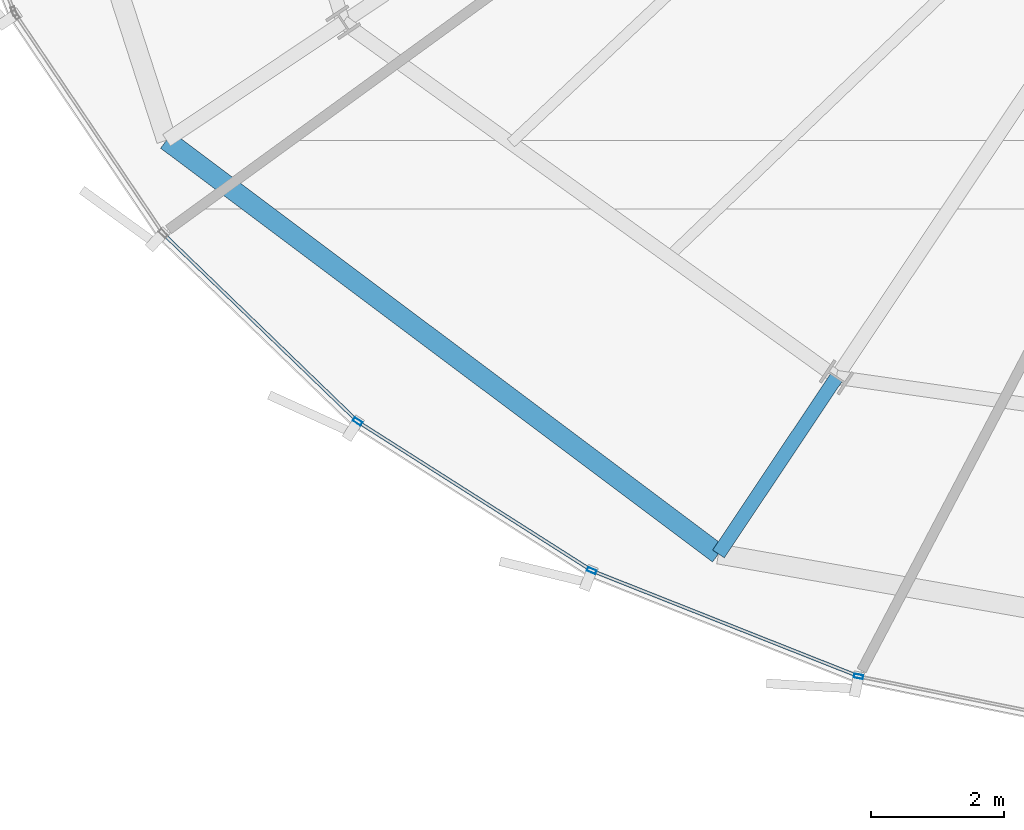
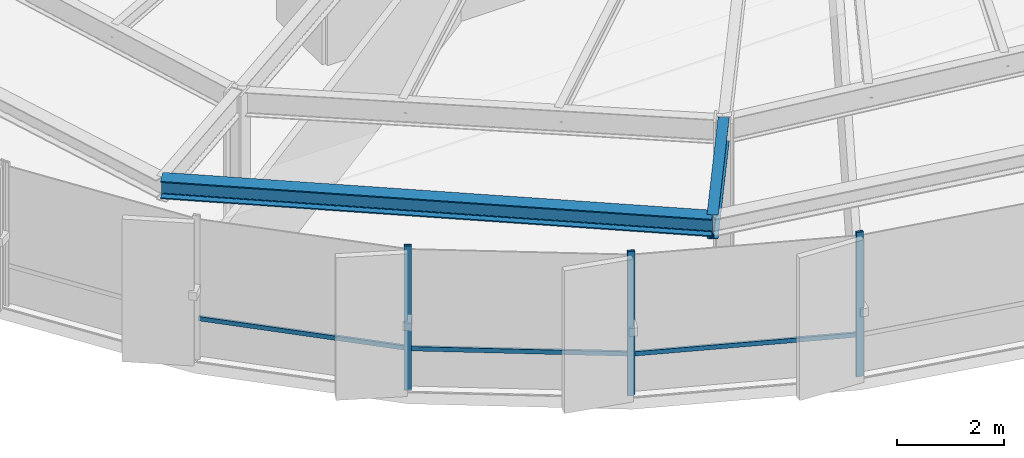
# One storey, part 2 of 35: 6 members, 2 beams, 1 element without a shape of its own.
"""IFC4 building model written with IfcOpenShell, lengths in metres."""

from ifc_helpers import new_model, si_unit, direction, frame, origin, origin_2d, place, context, subcontext, project, spatial, hollow_rectangle, i_section, extrude, source, transform, mapped, material, layer, layer_set, material_profile, profile_set, type_object, element, aggregate, save


model = new_model("IFC4")

# Units and contexts
model_context = context("Model", 3, precision=1e-05, world=origin(), true_north=direction((0.0, 1.0)))
body_context = subcontext(model_context, "Body", "Model", "MODEL_VIEW")
ifc_project = project(units=[si_unit("LENGTHUNIT", "METRE"), si_unit("AREAUNIT", "SQUARE_METRE"), si_unit("VOLUMEUNIT", "CUBIC_METRE"), si_unit("PLANEANGLEUNIT", "RADIAN"), si_unit("MASSUNIT", "GRAM", prefix="KILO"), si_unit("THERMODYNAMICTEMPERATUREUNIT", "KELVIN")], contexts=[model_context])

# Site, building, storey
site_placement = place(None, origin())
site = spatial("IfcSite", under=ifc_project, at=site_placement, CompositionType="ELEMENT")
building_placement = place(site_placement, origin())
building = spatial("IfcBuilding", under=site, at=building_placement, Name="Kethvar Cultural Tower", CompositionType="ELEMENT")
storey_placement = place(building_placement, frame((0.0, 0.0, 146.550048828125)))
storey = spatial("IfcBuildingStorey", under=building, at=storey_placement, Name="L37", CompositionType="ELEMENT", Elevation=146.550048828125)

# Beams
ifc_material_1 = material(Name="Steel S355J2", Category="steel")
ifc_material_profile_1 = material_profile(ifc_material_1, i_section(OverallWidth=0.2099609375, OverallDepth=0.550048828125, WebThickness=0.010986328125, FlangeThickness=0.01708984375, FilletRadius=0.02392578125, at=origin_2d()), Name="Steel S355J2 — IPE550")
ifc_profile_set_1 = profile_set([ifc_material_profile_1], Name="Steel S355J2 — IPE550")
beam_type_1 = type_object("IfcBeamType", Name="BM-IPE550", PredefinedType="BEAM", material=ifc_profile_set_1)
shared_shape_1 = source(origin(), body_context, "Body", "SweptSolid", [
    extrude(i_section(OverallWidth=0.2099609375, OverallDepth=0.550048828125, WebThickness=0.010986328125, FlangeThickness=0.01708984375, FilletRadius=0.02392578125, at=origin_2d()), origin(), (0.0, 0.0, 1.0), 3.199951171875),
])
beam_1_placement = place(storey_placement, frame((34.350830078125, 9.16845703125, 3.02294921875), z_axis=(-0.555580212716, -0.831462943996, 0.0), x_axis=(0.831462943996, -0.555580212716, 0.0)))
element("IfcBeam", 1, at=beam_1_placement, inside=storey, type_object=beam_type_1, Name="L37 Perimeter Cantilever Beam RC-11", PredefinedType="BEAM", context=body_context, shape_type="MappedRepresentation", body=[
    mapped(shared_shape_1, transform((0.0, 0.0, 0.0), scale=1.0)),
])
ifc_material_profile_2 = material_profile(ifc_material_1, i_section(OverallWidth=0.300048828125, OverallDepth=0.39990234375, WebThickness=0.013427734375, FlangeThickness=0.02392578125, FilletRadius=0.027099609375, at=origin_2d()), Name="Steel S355J2 — HEB400")
ifc_profile_set_2 = profile_set([ifc_material_profile_2], Name="Steel S355J2 — HEB400")
beam_type_2 = type_object("IfcBeamType", Name="BM-SP400", PredefinedType="SPANDREL", material=ifc_profile_set_2)
shared_shape_2 = source(origin(), body_context, "Body", "SweptSolid", [
    extrude(i_section(OverallWidth=0.300048828125, OverallDepth=0.39990234375, WebThickness=0.013427734375, FlangeThickness=0.02392578125, FilletRadius=0.027099609375, at=origin_2d()), origin(), (0.0, 0.0, 1.0), 10.38916015625),
])
beam_2_placement = place(storey_placement, frame((24.260009765625, 12.7392578125, 3.097900390625), z_axis=(0.800152249906, -0.599796946449, 0.0), x_axis=(0.599796946449, 0.800152249906, 0.0)))
element("IfcBeam", 2, at=beam_2_placement, inside=storey, type_object=beam_type_2, Name="L37 Perimeter Spandrel Beam SP-10", PredefinedType="SPANDREL", context=body_context, shape_type="MappedRepresentation", body=[
    mapped(shared_shape_2, transform((0.0, 0.0, 0.0), scale=1.0)),
])

# Curtain wall, members
ifc_material_2 = material(Name="Aluminium 6063-T6", Category="aluminium")
ifc_layer = layer(ifc_material_2, 0.179931640625, Name="Aluminium 6063-T6", Category="aluminium")
ifc_layer_set = layer_set([ifc_layer], Name="Aluminium 6063-T6 (180 mm)")
curtain_wall_type = type_object("IfcCurtainWallType", Name="CW-SYS-04-Z34", PredefinedType="NOTDEFINED", material=ifc_layer_set)
curtain_wall_placement = place(storey_placement, origin())
curtain_wall = element("IfcCurtainWall", 3, at=curtain_wall_placement, inside=storey, type_object=curtain_wall_type, Name="L37 Curtain Wall Run 04", PredefinedType="NOTDEFINED")
ifc_material_profile_3 = material_profile(ifc_material_2, hollow_rectangle(XDim=0.06005859375, YDim=0.139892578125, WallThickness=0.0048828125, at=origin_2d()), Name="Aluminium 6063-T6 — RHS140x60x5")
ifc_profile_set_3 = profile_set([ifc_material_profile_3], Name="Aluminium 6063-T6 — RHS140x60x5")
member_type_1 = type_object("IfcMemberType", Name="CW-SYS-04-Z34-MUL", PredefinedType="MULLION", material=ifc_profile_set_3)
shared_shape_3 = source(origin(), body_context, "Body", "SweptSolid", [
    extrude(hollow_rectangle(XDim=0.06005859375, YDim=0.139892578125, WallThickness=0.0048828125, at=origin_2d()), origin(), (0.0, 0.0, 1.0), 3.300048828125),
])
member_1_placement = place(storey_placement, frame((27.13720703125, 8.5029296875, 0.0), z_axis=(0.0, 0.0, 1.0), x_axis=(0.536828485928, 0.84369139897, 0.0)))
member_1 = element("IfcMember", 4, at=member_1_placement, type_object=member_type_1, Name="CW-L37-R04 Mullion 3", PredefinedType="MULLION", context=body_context, shape_type="MappedRepresentation", body=[
    mapped(shared_shape_3, transform((0.0, 0.0, 0.0), scale=1.0)),
])
member_2_placement = place(storey_placement, frame((30.6640625, 6.256591796875, 0.0), z_axis=(0.0, 0.0, 1.0), x_axis=(0.368108324968, 0.929782910732, 0.0)))
member_2 = element("IfcMember", 5, at=member_2_placement, type_object=member_type_1, Name="CW-L37-R04 Mullion 4", PredefinedType="MULLION", context=body_context, shape_type="MappedRepresentation", body=[
    mapped(shared_shape_3, transform((0.0, 0.0, 0.0), scale=1.0)),
])
member_3_placement = place(storey_placement, frame((34.68212890625, 4.6640625, 0.0), z_axis=(0.0, 0.0, 1.0), x_axis=(0.198392969907, 0.980122558404, 0.0)))
member_3 = element("IfcMember", 6, at=member_3_placement, type_object=member_type_1, Name="CW-L37-R04 Mullion 5", PredefinedType="MULLION", context=body_context, shape_type="MappedRepresentation", body=[
    mapped(shared_shape_3, transform((0.0, 0.0, 0.0), scale=1.0)),
])
ifc_material_profile_4 = material_profile(ifc_material_2, hollow_rectangle(XDim=0.050048828125, YDim=0.10009765625, WallThickness=0.00390625, at=origin_2d()), Name="Aluminium 6063-T6 — RHS100x50x4")
ifc_profile_set_4 = profile_set([ifc_material_profile_4], Name="Aluminium 6063-T6 — RHS100x50x4")
member_type_2 = type_object("IfcMemberType", Name="CW-SYS-04-Z34-TRN", PredefinedType="USERDEFINED", material=ifc_profile_set_4)
shared_shape_4 = source(origin(), body_context, "Body", "SweptSolid", [
    extrude(hollow_rectangle(XDim=0.050048828125, YDim=0.10009765625, WallThickness=0.00390625, at=origin_2d()), origin(), (0.0, 0.0, 1.0), 4.25537109375),
])
member_4_placement = place(storey_placement, frame((30.7041015625, 6.24072265625, 0.949951171875), z_axis=(0.929784523385, -0.368104251638, 0.0), x_axis=(0.368104251638, 0.929784523385, 0.0)))
member_4 = element("IfcMember", 7, at=member_4_placement, type_object=member_type_2, Name="CW-L37-R04 Transom 4", ObjectType="TRANSOM", PredefinedType="USERDEFINED", context=body_context, shape_type="MappedRepresentation", body=[
    mapped(shared_shape_4, transform((0.0, 0.0, 0.0), scale=1.0)),
])
shared_shape_5 = source(origin(), body_context, "Body", "SweptSolid", [
    extrude(hollow_rectangle(XDim=0.050048828125, YDim=0.10009765625, WallThickness=0.00390625, at=origin_2d()), origin(), (0.0, 0.0, 1.0), 4.00927734375),
])
member_5_placement = place(storey_placement, frame((24.239501953125, 11.30419921875, 0.949951171875), z_axis=(0.719360537479, -0.69463689588, 0.0), x_axis=(0.69463689588, 0.719360537479, 0.0)))
member_5 = element("IfcMember", 8, at=member_5_placement, type_object=member_type_2, Name="CW-L37-R04 Transom 2", ObjectType="TRANSOM", PredefinedType="USERDEFINED", context=body_context, shape_type="MappedRepresentation", body=[
    mapped(shared_shape_5, transform((0.0, 0.0, 0.0), scale=1.0)),
])
shared_shape_6 = source(origin(), body_context, "Body", "SweptSolid", [
    extrude(hollow_rectangle(XDim=0.050048828125, YDim=0.10009765625, WallThickness=0.00390625, at=origin_2d()), origin(), (0.0, 0.0, 1.0), 4.11572265625),
])
member_6_placement = place(storey_placement, frame((27.173583984375, 8.479736328125, 0.949951171875), z_axis=(0.843715220884, -0.536791045052, 0.0), x_axis=(0.536791045052, 0.843715220884, 0.0)))
member_6 = element("IfcMember", 9, at=member_6_placement, type_object=member_type_2, Name="CW-L37-R04 Transom 3", ObjectType="TRANSOM", PredefinedType="USERDEFINED", context=body_context, shape_type="MappedRepresentation", body=[
    mapped(shared_shape_6, transform((0.0, 0.0, 0.0), scale=1.0)),
])
aggregate(curtain_wall, [member_1, member_2, member_3, member_5, member_6, member_4])

save(model, "model.ifc")
